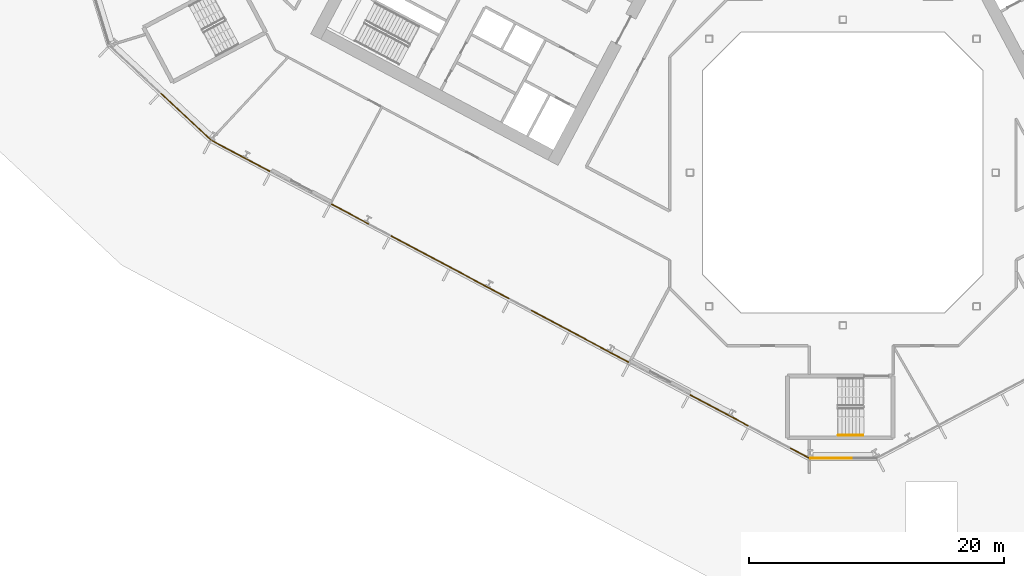
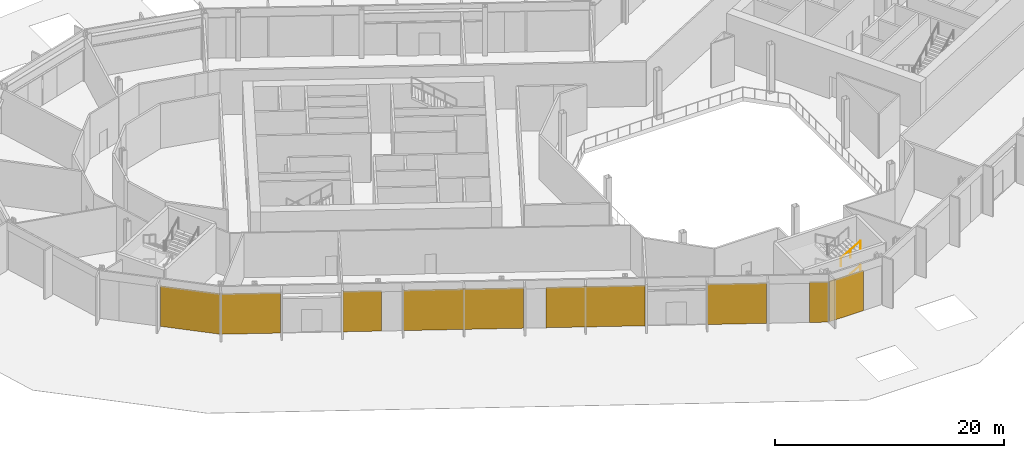
# One storey, part 19 of 30: 8 coverings, 2 railings, 3 elements without a shape of their own.
"""IFC4 building model written with IfcOpenShell, lengths in metres."""

from ifc_helpers import new_model, si_unit, direction, frame, origin, origin_2d, place, context, subcontext, project, spatial, polyline, rectangle, outline, extrude, material, layer, layer_set, type_object, element, aggregate, save


model = new_model("IFC4")

# Units and contexts
model_context = context("Model", 3, precision=1e-05, world=origin(), true_north=direction((0.0, 1.0)))
body_context = subcontext(model_context, "Body", "Model", "MODEL_VIEW")
ifc_project = project(units=[si_unit("LENGTHUNIT", "METRE"), si_unit("AREAUNIT", "SQUARE_METRE"), si_unit("VOLUMEUNIT", "CUBIC_METRE"), si_unit("PLANEANGLEUNIT", "RADIAN"), si_unit("MASSUNIT", "GRAM", prefix="KILO")], contexts=[model_context])

# Site, building, storey
site_placement = place(None, origin())
site = spatial("IfcSite", under=ifc_project, at=site_placement, CompositionType="ELEMENT")
building_placement = place(site_placement, origin())
building = spatial("IfcBuilding", under=site, at=building_placement, Name="Cormorant Relay Tower", CompositionType="ELEMENT")
storey_placement = place(building_placement, frame((0.0, 0.0, 7.0)))
storey = spatial("IfcBuildingStorey", under=building, at=storey_placement, Name="L01", CompositionType="ELEMENT", Elevation=7.0)

# Curtain wall, covering
ifc_material_1 = material(Name="Aluminium 6063-T6 anodised bronze", Category="aluminium")
ifc_layer_1 = layer(ifc_material_1, 0.235107421875)
ifc_layer_set_1 = layer_set([ifc_layer_1], Name="CW6 data hall curtain wall with mineral wool panels")
curtain_wall_type = type_object("IfcCurtainWallType", Name="CW6 data hall curtain wall with mineral wool panels", PredefinedType="NOTDEFINED", material=ifc_layer_set_1)
curtain_wall_1_placement = place(storey_placement, origin())
curtain_wall_1 = element("IfcCurtainWall", 1, at=curtain_wall_1_placement, inside=storey, type_object=curtain_wall_type, Name="CW6 curtain wall 1", PredefinedType="NOTDEFINED")
ifc_material_2 = material(Name="Mineral wool cored anodised bronze aluminium cassette panel", Category="aluminium")
ifc_layer_2 = layer(ifc_material_2, 0.074951171875)
ifc_layer_set_2 = layer_set([ifc_layer_2], Name="CW6 mineral wool cassette panel 75")
covering_type = type_object("IfcCoveringType", Name="CW6 mineral wool cassette panel 75", PredefinedType="CLADDING", material=ifc_layer_set_2)
covering_1_placement = place(storey_placement, frame((-0.862548828125, -22.4130859375, 0.0), z_axis=(0.0, 0.0, 1.0), x_axis=(1.0, 0.0, 0.0)))
covering_1 = element("IfcCovering", 2, at=covering_1_placement, type_object=covering_type, Name="CW6 panel S00", PredefinedType="CLADDING", context=body_context, shape_type="SweptSolid", body=[
    extrude(rectangle(XDim=3.422607421875, YDim=0.074951171875, at=origin_2d()), origin(), (0.0, 0.0, 1.0), 4.300048828125),
])
aggregate(curtain_wall_1, [covering_1])

curtain_wall_2_placement = place(storey_placement, origin())
curtain_wall_2 = element("IfcCurtainWall", 3, at=curtain_wall_2_placement, inside=storey, type_object=curtain_wall_type, Name="CW6 curtain wall 13", PredefinedType="NOTDEFINED")
covering_2_placement = place(storey_placement, frame((-51.5771484375, 4.384765625, 0.0), z_axis=(0.0, 0.0, 1.0), x_axis=(0.731353701619, -0.681998360062, 0.0)))
covering_2 = element("IfcCovering", 4, at=covering_2_placement, type_object=covering_type, Name="CW6 panel S02", PredefinedType="CLADDING", context=body_context, shape_type="SweptSolid", body=[
    extrude(rectangle(XDim=5.360107421875, YDim=0.074951171875, at=origin_2d()), origin(), (0.0, 0.0, 1.0), 4.300048828125),
])
aggregate(curtain_wall_2, [covering_2])

# Curtain wall, coverings
curtain_wall_3_placement = place(storey_placement, origin())
curtain_wall_3 = element("IfcCurtainWall", 5, at=curtain_wall_3_placement, inside=storey, type_object=curtain_wall_type, Name="CW6 curtain wall 14", PredefinedType="NOTDEFINED")
covering_3_placement = place(storey_placement, frame((-47.261962890625, 1.30322265625, 0.0), z_axis=(0.0, 0.0, 1.0), x_axis=(0.882947592859, -0.469471562786, 0.0)))
covering_3 = element("IfcCovering", 6, at=covering_3_placement, type_object=covering_type, Name="CW6 panel S00", PredefinedType="CLADDING", context=body_context, shape_type="SweptSolid", body=[
    extrude(rectangle(XDim=5.16650390625, YDim=0.074951171875, at=origin_2d()), origin(), (0.0, 0.0, 1.0), 4.300048828125),
])
covering_4_placement = place(storey_placement, frame((-38.668212890625, -3.26611328125, 0.0), z_axis=(0.0, 0.0, 1.0), x_axis=(0.882947592859, -0.469471562786, 0.0)))
covering_4 = element("IfcCovering", 7, at=covering_4_placement, type_object=covering_type, Name="CW6 panel S02", PredefinedType="CLADDING", context=body_context, shape_type="SweptSolid", body=[
    extrude(rectangle(XDim=3.36669921875, YDim=0.074951171875, at=origin_2d()), origin(), (0.0, 0.0, 1.0), 4.300048828125),
])
covering_5_placement = place(storey_placement, frame((-30.83203125, -7.4326171875, 0.0), z_axis=(0.0, 0.0, 1.0), x_axis=(0.882947592859, -0.469471562786, 0.0)))
covering_5 = element("IfcCovering", 8, at=covering_5_placement, type_object=covering_type, Name="CW6 panel S04", PredefinedType="CLADDING", context=body_context, shape_type="SweptSolid", body=[
    extrude(rectangle(XDim=10.483154296875, YDim=0.074951171875, at=origin_2d()), origin(), (0.0, 0.0, 1.0), 4.300048828125),
])
covering_6_placement = place(storey_placement, frame((-20.64892578125, -12.84716796875, 0.0), z_axis=(0.0, 0.0, 1.0), x_axis=(0.882947592859, -0.469471562786, 0.0)))
covering_6 = element("IfcCovering", 9, at=covering_6_placement, type_object=covering_type, Name="CW6 panel S06", PredefinedType="CLADDING", context=body_context, shape_type="SweptSolid", body=[
    extrude(rectangle(XDim=8.68310546875, YDim=0.074951171875, at=origin_2d()), origin(), (0.0, 0.0, 1.0), 4.300048828125),
])
covering_7_placement = place(storey_placement, frame((-9.7080078125, -18.664794921875, 0.0), z_axis=(0.0, 0.0, 1.0), x_axis=(0.882947592859, -0.469471562786, 0.0)))
covering_7 = element("IfcCovering", 10, at=covering_7_placement, type_object=covering_type, Name="CW6 panel S08", PredefinedType="CLADDING", context=body_context, shape_type="SweptSolid", body=[
    extrude(rectangle(XDim=5.16650390625, YDim=0.074951171875, at=origin_2d()), origin(), (0.0, 0.0, 1.0), 4.300048828125),
])
covering_8_placement = place(storey_placement, frame((-3.39111328125, -22.023193359375, 0.0), z_axis=(0.0, 0.0, 1.0), x_axis=(0.882947592859, -0.469471562786, 0.0)))
covering_8 = element("IfcCovering", 11, at=covering_8_placement, type_object=covering_type, Name="CW6 panel S10", PredefinedType="CLADDING", context=body_context, shape_type="SweptSolid", body=[
    extrude(rectangle(XDim=1.6416015625, YDim=0.074951171875, at=origin_2d()), origin(), (0.0, 0.0, 1.0), 4.300048828125),
])
aggregate(curtain_wall_3, [covering_3, covering_4, covering_5, covering_6, covering_7, covering_8])

# Railings
ifc_material_3 = material(Name="Steel ASTM A572 Grade 50 (Fy 345 MPa)", Category="steel")
railing_type = type_object("IfcRailingType", Name="Stair handrail 900", PredefinedType="HANDRAIL", material=ifc_material_3)
railing_1_placement = place(storey_placement, frame((-0.360107421875, -20.625, 1.46240234375)))
element("IfcRailing", 12, at=railing_1_placement, inside=storey, type_object=railing_type, Name="L01 RK1 stair handrail 2", PredefinedType="HANDRAIL", context=body_context, shape_type="SweptSolid", body=[
    extrude(outline(polyline([(0.022216796875, 0.00927734375), (0.00927734375, 0.022216796875), (-0.00927734375, 0.022216796875), (-0.022216796875, 0.00927734375), (-0.022216796875, -0.00927734375), (-0.00927734375, -0.022216796875), (0.00927734375, -0.022216796875), (0.022216796875, -0.00927734375), (0.022216796875, 0.00927734375)])), frame((0.0, 0.0, 0.8759765625), z_axis=(0.864882484384, 0.0, 0.50197438999), x_axis=(0.0, 1.0, 0.0)), (0.0, 0.0, 1.0), 2.266357421875),
    extrude(outline(polyline([(0.019287109375, 0.008056640625), (0.008056640625, 0.019287109375), (-0.008056640625, 0.019287109375), (-0.019287109375, 0.008056640625), (-0.019287109375, -0.008056640625), (-0.008056640625, -0.019287109375), (0.008056640625, -0.019287109375), (0.019287109375, -0.008056640625), (0.019287109375, 0.008056640625)])), origin(), (0.0, 0.0, 1.0), 0.851806640625),
    extrude(outline(polyline([(0.019287109375, 0.008056640625), (0.008056640625, 0.019287109375), (-0.008056640625, 0.019287109375), (-0.019287109375, 0.008056640625), (-0.019287109375, -0.008056640625), (-0.008056640625, -0.019287109375), (0.008056640625, -0.019287109375), (0.019287109375, -0.008056640625), (0.019287109375, 0.008056640625)])), frame((0.97998046875, 0.0, 0.56884765625)), (0.0, 0.0, 1.0), 0.851806640625),
    extrude(outline(polyline([(0.019287109375, 0.008056640625), (0.008056640625, 0.019287109375), (-0.008056640625, 0.019287109375), (-0.019287109375, 0.008056640625), (-0.019287109375, -0.008056640625), (-0.008056640625, -0.019287109375), (0.008056640625, -0.019287109375), (0.019287109375, -0.008056640625), (0.019287109375, 0.008056640625)])), frame((1.960205078125, 0.0, 1.1376953125)), (0.0, 0.0, 1.0), 0.851806640625),
])
railing_2_placement = place(storey_placement, frame((-0.360107421875, -20.625, 4.0625)))
element("IfcRailing", 13, at=railing_2_placement, inside=storey, type_object=railing_type, Name="L01 RK1 stair handrail 4", PredefinedType="HANDRAIL", context=body_context, shape_type="SweptSolid", body=[
    extrude(outline(polyline([(0.022216796875, 0.00927734375), (0.00927734375, 0.022216796875), (-0.00927734375, 0.022216796875), (-0.022216796875, 0.00927734375), (-0.022216796875, -0.00927734375), (-0.00927734375, -0.022216796875), (0.00927734375, -0.022216796875), (0.022216796875, -0.00927734375), (0.022216796875, 0.00927734375)])), frame((0.0, 0.0, 0.8759765625), z_axis=(0.864929249598, 0.0, 0.501893806686), x_axis=(0.0, 1.0, 0.0)), (0.0, 0.0, 1.0), 2.266357421875),
    extrude(outline(polyline([(0.019287109375, 0.008056640625), (0.008056640625, 0.019287109375), (-0.008056640625, 0.019287109375), (-0.019287109375, 0.008056640625), (-0.019287109375, -0.008056640625), (-0.008056640625, -0.019287109375), (0.008056640625, -0.019287109375), (0.019287109375, -0.008056640625), (0.019287109375, 0.008056640625)])), origin(), (0.0, 0.0, 1.0), 0.851806640625),
    extrude(outline(polyline([(0.019287109375, 0.008056640625), (0.008056640625, 0.019287109375), (-0.008056640625, 0.019287109375), (-0.019287109375, 0.008056640625), (-0.019287109375, -0.008056640625), (-0.008056640625, -0.019287109375), (0.008056640625, -0.019287109375), (0.019287109375, -0.008056640625), (0.019287109375, 0.008056640625)])), frame((0.97998046875, 0.0, 0.56884765625)), (0.0, 0.0, 1.0), 0.851806640625),
    extrude(outline(polyline([(0.019287109375, 0.008056640625), (0.008056640625, 0.019287109375), (-0.008056640625, 0.019287109375), (-0.019287109375, 0.008056640625), (-0.019287109375, -0.008056640625), (-0.008056640625, -0.019287109375), (0.008056640625, -0.019287109375), (0.019287109375, -0.008056640625), (0.019287109375, 0.008056640625)])), frame((1.960205078125, 0.0, 1.137451171875)), (0.0, 0.0, 1.0), 0.851806640625),
])

save(model, "model.ifc")
